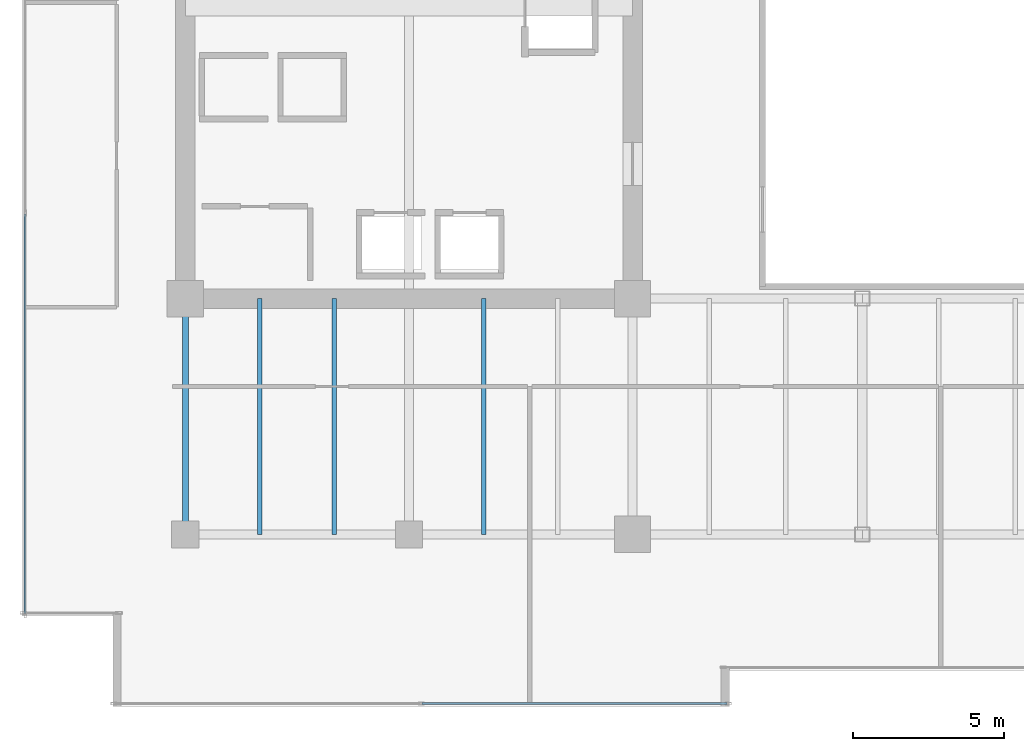
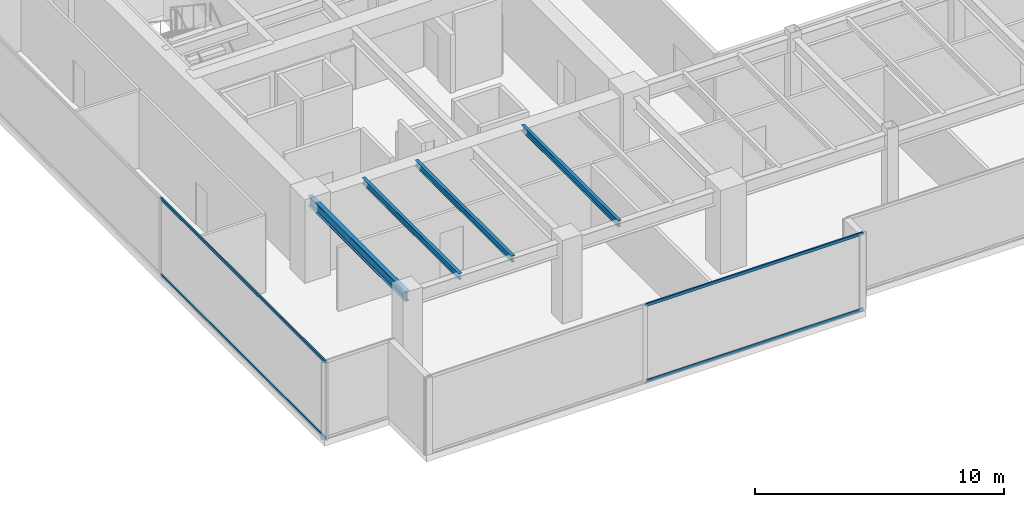
# One storey, part 3 of 30: 4 beams, 4 members, 2 elements without a shape of their own.
"""IFC4 building model written with IfcOpenShell, lengths in metres."""

from ifc_helpers import new_model, si_unit, direction, frame, origin, origin_2d, place, context, subcontext, project, spatial, hollow_rectangle, i_section, extrude, source, transform, mapped, material, layer, layer_set, material_profile, profile_set, type_object, type_shapes, element, aggregate, save


model = new_model("IFC4")

# Units and contexts
model_context = context("Model", 3, precision=1e-05, world=origin(), true_north=direction((0.0, 1.0)))
body_context = subcontext(model_context, "Body", "Model", "MODEL_VIEW")
ifc_project = project(units=[si_unit("LENGTHUNIT", "METRE"), si_unit("AREAUNIT", "SQUARE_METRE"), si_unit("VOLUMEUNIT", "CUBIC_METRE"), si_unit("PLANEANGLEUNIT", "RADIAN"), si_unit("MASSUNIT", "GRAM", prefix="KILO")], contexts=[model_context])

# Site, building, storey
site_placement = place(None, origin())
site = spatial("IfcSite", under=ifc_project, at=site_placement, CompositionType="ELEMENT")
building_placement = place(site_placement, origin())
building = spatial("IfcBuilding", under=site, at=building_placement, Name="Haelvirn Gate Laboratories", CompositionType="ELEMENT")
storey_placement = place(building_placement, frame((0.0, 0.0, 142.0)))
storey = spatial("IfcBuildingStorey", under=building, at=storey_placement, Name="L34", CompositionType="ELEMENT", Elevation=142.0)

# Beams
ifc_material_1 = material(Name="Steel SM355", Category="steel")
ifc_material_profile_1 = material_profile(ifc_material_1, i_section(OverallWidth=0.199951171875, OverallDepth=0.5, WebThickness=0.010009765625, FlangeThickness=0.01611328125, at=origin_2d()), Name="H-500x200x10x16")
ifc_profile_set_1 = profile_set([ifc_material_profile_1], Name="Steel SM355")
beam_type_1 = type_object("IfcBeamType", Name="BM-SP-500", PredefinedType="SPANDREL", material=ifc_profile_set_1)
shared_shape_1 = source(origin(), body_context, "Body", "SweptSolid", [
    extrude(i_section(OverallWidth=0.199951171875, OverallDepth=0.5, WebThickness=0.010009765625, FlangeThickness=0.01611328125, at=origin_2d()), origin(), (0.0, 0.0, 1.0), 7.800048828125),
])
type_shapes(beam_type_1, [shared_shape_1])
beam_placement = place(storey_placement, frame((7.39990234375, 7.0, 3.5400390625), z_axis=(0.0, 1.0, 0.0), x_axis=(-1.0, 0.0, 0.0)))
element("IfcBeam", 1, at=beam_placement, inside=storey, type_object=beam_type_1, Name="L34 Perimeter Spandrel X7.4 (7.0-14.8)", PredefinedType="SPANDREL", context=body_context, shape_type="MappedRepresentation", body=[
    mapped(shared_shape_1, transform((0.0, 0.0, 0.0), scale=1.0)),
])
ifc_material_profile_2 = material_profile(ifc_material_1, i_section(OverallWidth=0.14990234375, OverallDepth=0.300048828125, WebThickness=0.006591796875, FlangeThickness=0.009033203125, at=origin_2d()), Name="H-300x150x6.5x9")
ifc_profile_set_2 = profile_set([ifc_material_profile_2], Name="Steel SM355")
beam_type_2 = type_object("IfcBeamType", Name="BM-J-300", PredefinedType="JOIST", material=ifc_profile_set_2)
shared_shape_2 = source(origin(), body_context, "Body", "SweptSolid", [
    extrude(i_section(OverallWidth=0.14990234375, OverallDepth=0.300048828125, WebThickness=0.006591796875, FlangeThickness=0.009033203125, at=origin_2d()), origin(), (0.0, 0.0, 1.0), 7.800048828125),
])
type_shapes(beam_type_2, [shared_shape_2])
for number, where, z_axis, x_axis, name in (
    (2, (9.8701171875, 7.0, 3.639892578125), (0.0, 1.0, 0.0), (-1.0, 0.0, 0.0), "L34 Composite Lab Joist South X9.87"),
    (3, (12.330078125, 7.0, 3.639892578125), (0.0, 1.0, 0.0), (-1.0, 0.0, 0.0), "L34 Composite Lab Joist South X12.33"),
    (4, (17.27001953125, 7.0, 3.639892578125), (0.0, 1.0, 0.0), (-1.0, 0.0, 0.0), "L34 Composite Lab Joist South X17.27"),
):
    element("IfcBeam", number, at=place(storey_placement, frame(where, z_axis=z_axis, x_axis=x_axis)), inside=storey, type_object=beam_type_2, Name=name, PredefinedType="JOIST", context=body_context, shape_type="MappedRepresentation", body=[
        mapped(shared_shape_2, transform((0.0, 0.0, 0.0), scale=1.0)),
    ])

# Curtain wall, members
ifc_material_2 = material(Name="Anodised bronze unitised aluminium & triple low-E glass", Category="aluminium")
ifc_layer = layer(ifc_material_2, 0.179931640625, Name="CW-SYS-3")
ifc_layer_set = layer_set([ifc_layer], Name="Anodised bronze unitised aluminium & triple low-E glass")
curtain_wall_type = type_object("IfcCurtainWallType", Name="CW-SYS-3", PredefinedType="NOTDEFINED", material=ifc_layer_set)
curtain_wall_1_placement = place(storey_placement, origin())
curtain_wall_1 = element("IfcCurtainWall", 5, at=curtain_wall_1_placement, inside=storey, type_object=curtain_wall_type, Name="L34 Unitised Curtain Wall CW-L34-P0-E00-1", PredefinedType="NOTDEFINED")
ifc_material_3 = material(Name="Extruded aluminium 6063-T6 (anodised bronze)", Category="aluminium")
ifc_material_profile_3 = material_profile(ifc_material_3, hollow_rectangle(XDim=0.06494140625, YDim=0.139892578125, WallThickness=0.00390625, at=origin_2d()), Name="CWT-140x65x4")
ifc_profile_set_3 = profile_set([ifc_material_profile_3], Name="Extruded aluminium 6063-T6 (anodised bronze)")
member_type = type_object("IfcMemberType", Name="CWT-T140", PredefinedType="USERDEFINED", material=ifc_profile_set_3)
shared_shape_3 = source(origin(), body_context, "Body", "SweptSolid", [
    extrude(hollow_rectangle(XDim=0.06494140625, YDim=0.139892578125, WallThickness=0.00390625, at=origin_2d()), origin(), (0.0, 0.0, 1.0), 10.08740234375),
])
member_1_placement = place(storey_placement, frame((15.237548828125, 1.39990234375, 0.032470703125), z_axis=(1.0, 0.0, 0.0), x_axis=(0.0, 1.0, 0.0)))
member_1 = element("IfcMember", 6, at=member_1_placement, type_object=member_type, Name="CW3 transom 2.1", ObjectType="TRANSOM", PredefinedType="USERDEFINED", context=body_context, shape_type="MappedRepresentation", body=[
    mapped(shared_shape_3, transform((0.0, 0.0, 0.0), scale=1.0)),
])
member_2_placement = place(storey_placement, frame((15.237548828125, 1.39990234375, 3.757568359375), z_axis=(1.0, 0.0, 0.0), x_axis=(0.0, 1.0, 0.0)))
member_2 = element("IfcMember", 7, at=member_2_placement, type_object=member_type, Name="CW3 transom 2.2", ObjectType="TRANSOM", PredefinedType="USERDEFINED", context=body_context, shape_type="MappedRepresentation", body=[
    mapped(shared_shape_3, transform((0.0, 0.0, 0.0), scale=1.0)),
])
aggregate(curtain_wall_1, [member_1, member_2])

curtain_wall_2_placement = place(storey_placement, origin())
curtain_wall_2 = element("IfcCurtainWall", 8, at=curtain_wall_2_placement, inside=storey, type_object=curtain_wall_type, Name="L34 Unitised Curtain Wall CW-L34-P0-E17", PredefinedType="NOTDEFINED")
shared_shape_4 = source(origin(), body_context, "Body", "SweptSolid", [
    extrude(hollow_rectangle(XDim=0.06494140625, YDim=0.139892578125, WallThickness=0.00390625, at=origin_2d()), origin(), (0.0, 0.0, 1.0), 13.220947265625),
])
type_shapes(member_type, [shared_shape_3, shared_shape_4])
member_3_placement = place(storey_placement, frame((2.10009765625, 17.595947265625, 0.032470703125), z_axis=(0.0, -1.0, 0.0), x_axis=(1.0, 0.0, 0.0)))
member_3 = element("IfcMember", 9, at=member_3_placement, type_object=member_type, Name="CW3 transom 3.1", ObjectType="TRANSOM", PredefinedType="USERDEFINED", context=body_context, shape_type="MappedRepresentation", body=[
    mapped(shared_shape_4, transform((0.0, 0.0, 0.0), scale=1.0)),
])
member_4_placement = place(storey_placement, frame((2.10009765625, 17.595947265625, 3.757568359375), z_axis=(0.0, -1.0, 0.0), x_axis=(1.0, 0.0, 0.0)))
member_4 = element("IfcMember", 10, at=member_4_placement, type_object=member_type, Name="CW3 transom 3.2", ObjectType="TRANSOM", PredefinedType="USERDEFINED", context=body_context, shape_type="MappedRepresentation", body=[
    mapped(shared_shape_4, transform((0.0, 0.0, 0.0), scale=1.0)),
])
aggregate(curtain_wall_2, [member_3, member_4])

save(model, "model.ifc")
